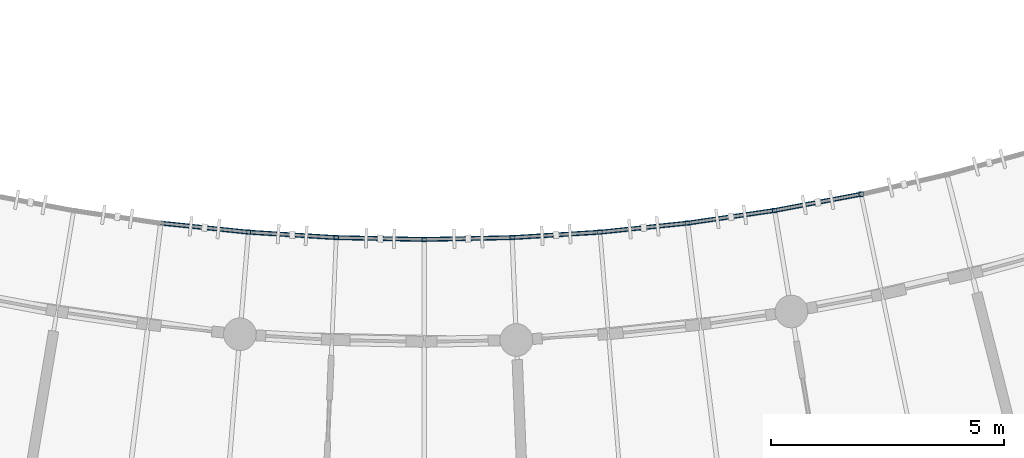
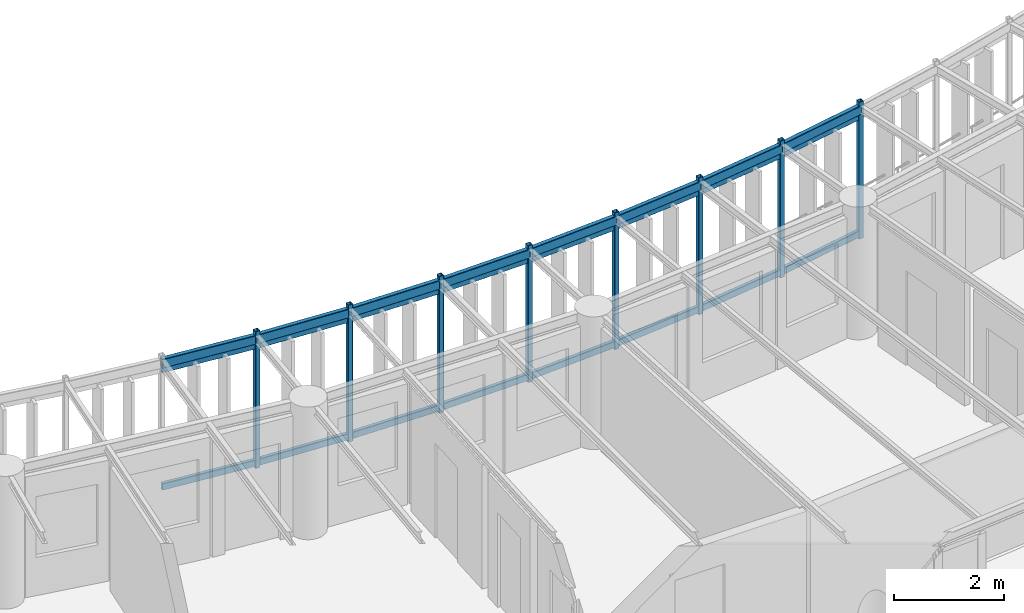
# One storey, part 18 of 123: 24 members, 8 beams.
"""IFC4 building model written with IfcOpenShell, lengths in metres."""

from ifc_helpers import new_model, si_unit, direction, frame, origin, origin_2d, place, context, subcontext, project, spatial, hollow_rectangle, extrude, material, material_profile, profile_set, type_object, element, save


model = new_model("IFC4")

# Units and contexts
model_context = context("Model", 3, precision=1e-05, world=origin(), true_north=direction((0.0, 1.0)))
body_context = subcontext(model_context, "Body", "Model", "MODEL_VIEW")
ifc_project = project(units=[si_unit("LENGTHUNIT", "METRE"), si_unit("AREAUNIT", "SQUARE_METRE"), si_unit("VOLUMEUNIT", "CUBIC_METRE"), si_unit("PLANEANGLEUNIT", "RADIAN"), si_unit("MASSUNIT", "GRAM", prefix="KILO"), si_unit("POWERUNIT", "WATT"), si_unit("THERMODYNAMICTEMPERATUREUNIT", "KELVIN")], contexts=[model_context])

# Site, building, storey
site_placement = place(None, origin())
site = spatial("IfcSite", under=ifc_project, at=site_placement, CompositionType="ELEMENT")
building_placement = place(site_placement, origin())
building = spatial("IfcBuilding", under=site, at=building_placement, Name="Ruvembo Vaulted Housing Court", CompositionType="ELEMENT")
storey_placement = place(building_placement, frame((0.0, 0.0, 7.699951171875)))
storey = spatial("IfcBuildingStorey", under=building, at=storey_placement, Name="L02", CompositionType="ELEMENT", Elevation=7.699951171875)

# Beams
ifc_material = material(Name="Steel S355J2", Category="steel")
ifc_material_profile_1 = material_profile(ifc_material, hollow_rectangle(XDim=0.10009765625, YDim=0.199951171875, WallThickness=0.008056640625, InnerFilletRadius=0.008056640625, OuterFilletRadius=0.01611328125, at=origin_2d()), Name="RHS 200x100x8")
ifc_profile_set_1 = profile_set([ifc_material_profile_1], Name="Steel S355J2")
beam_type = type_object("IfcBeamType", Name="BM-ST-RHS200", PredefinedType="SPANDREL", material=ifc_profile_set_1)
beam_1_placement = place(storey_placement, frame((63.34619140625, 16.55029296875, 2.840087890625), z_axis=(0.994683125416, -0.10298291127, 0.0), x_axis=(0.10298291127, 0.994683125416, 0.0)))
element("IfcBeam", 1, at=beam_1_placement, inside=storey, type_object=beam_type, Name="Scoop SC2 L02 Balcony Edge Spandrel 11", PredefinedType="SPANDREL", context=body_context, shape_type="SweptSolid", body=[
    extrude(hollow_rectangle(XDim=0.10009765625, YDim=0.199951171875, WallThickness=0.008056640625, InnerFilletRadius=0.008056640625, OuterFilletRadius=0.01611328125, at=origin_2d()), origin(), (0.0, 0.0, 1.0), 1.889404296875),
])
beam_2_placement = place(storey_placement, frame((65.2255859375, 16.355712890625, 2.840087890625), z_axis=(0.998090110864, -0.061774837886, 0.0), x_axis=(0.061774837886, 0.998090110864, 0.0)))
element("IfcBeam", 2, at=beam_2_placement, inside=storey, type_object=beam_type, Name="Scoop SC2 L02 Balcony Edge Spandrel 12", PredefinedType="SPANDREL", context=body_context, shape_type="SweptSolid", body=[
    extrude(hollow_rectangle(XDim=0.10009765625, YDim=0.199951171875, WallThickness=0.008056640625, InnerFilletRadius=0.008056640625, OuterFilletRadius=0.01611328125, at=origin_2d()), origin(), (0.0, 0.0, 1.0), 1.88916015625),
])
for number, where, z_axis, x_axis, name in (
    (3, (67.111083984375, 16.239013671875, 2.840087890625), (0.99978624046, -0.020675429556, 0.0), (0.020675429556, 0.99978624046, 0.0), "Scoop SC2 L02 Balcony Edge Spandrel 13"),
    (4, (69.0, 16.199951171875, 2.840087890625), (0.99978624046, 0.020675429556, 0.0), (-0.020675429556, 0.99978624046, 0.0), "Scoop SC2 L02 Balcony Edge Spandrel 14"),
):
    element("IfcBeam", number, at=place(storey_placement, frame(where, z_axis=z_axis, x_axis=x_axis)), inside=storey, type_object=beam_type, Name=name, PredefinedType="SPANDREL", context=body_context, shape_type="SweptSolid", body=[
        extrude(hollow_rectangle(XDim=0.10009765625, YDim=0.199951171875, WallThickness=0.008056640625, InnerFilletRadius=0.008056640625, OuterFilletRadius=0.01611328125, at=origin_2d()), origin(), (0.0, 0.0, 1.0), 1.889404296875),
    ])
beam_3_placement = place(storey_placement, frame((70.888916015625, 16.239013671875, 2.840087890625), z_axis=(0.998090110864, 0.061774837886, 0.0), x_axis=(-0.061774837886, 0.998090110864, 0.0)))
element("IfcBeam", 5, at=beam_3_placement, inside=storey, type_object=beam_type, Name="Scoop SC2 L02 Balcony Edge Spandrel 15", PredefinedType="SPANDREL", context=body_context, shape_type="SweptSolid", body=[
    extrude(hollow_rectangle(XDim=0.10009765625, YDim=0.199951171875, WallThickness=0.008056640625, InnerFilletRadius=0.008056640625, OuterFilletRadius=0.01611328125, at=origin_2d()), origin(), (0.0, 0.0, 1.0), 1.88916015625),
])
beam_4_placement = place(storey_placement, frame((72.7744140625, 16.355712890625, 2.840087890625), z_axis=(0.994683125416, 0.10298291127, 0.0), x_axis=(-0.10298291127, 0.994683125416, 0.0)))
element("IfcBeam", 6, at=beam_4_placement, inside=storey, type_object=beam_type, Name="Scoop SC2 L02 Balcony Edge Spandrel 16", PredefinedType="SPANDREL", context=body_context, shape_type="SweptSolid", body=[
    extrude(hollow_rectangle(XDim=0.10009765625, YDim=0.199951171875, WallThickness=0.008056640625, InnerFilletRadius=0.008056640625, OuterFilletRadius=0.01611328125, at=origin_2d()), origin(), (0.0, 0.0, 1.0), 1.889404296875),
])
beam_5_placement = place(storey_placement, frame((74.65380859375, 16.55029296875, 2.840087890625), z_axis=(0.989600158039, 0.143845497701, 0.0), x_axis=(-0.143845497701, 0.989600158039, 0.0)))
element("IfcBeam", 7, at=beam_5_placement, inside=storey, type_object=beam_type, Name="Scoop SC2 L02 Balcony Edge Spandrel 17", PredefinedType="SPANDREL", context=body_context, shape_type="SweptSolid", body=[
    extrude(hollow_rectangle(XDim=0.10009765625, YDim=0.199951171875, WallThickness=0.008056640625, InnerFilletRadius=0.008056640625, OuterFilletRadius=0.01611328125, at=origin_2d()), origin(), (0.0, 0.0, 1.0), 1.888916015625),
])
beam_6_placement = place(storey_placement, frame((76.523193359375, 16.822021484375, 2.840087890625), z_axis=(0.982804832401, 0.184647397515, 0.0), x_axis=(-0.184647397515, 0.982804832401, 0.0)))
element("IfcBeam", 8, at=beam_6_placement, inside=storey, type_object=beam_type, Name="Scoop SC2 L02 Balcony Edge Spandrel 18", PredefinedType="SPANDREL", context=body_context, shape_type="SweptSolid", body=[
    extrude(hollow_rectangle(XDim=0.10009765625, YDim=0.199951171875, WallThickness=0.008056640625, InnerFilletRadius=0.008056640625, OuterFilletRadius=0.01611328125, at=origin_2d()), origin(), (0.0, 0.0, 1.0), 1.889404296875),
])

# Members
ifc_material_profile_2 = material_profile(ifc_material, hollow_rectangle(XDim=0.06005859375, YDim=0.1201171875, WallThickness=0.0048828125, InnerFilletRadius=0.0048828125, OuterFilletRadius=0.010009765625, at=origin_2d()), Name="RHS 120x60x5")
ifc_profile_set_2 = profile_set([ifc_material_profile_2], Name="Steel S355J2")
member_type_1 = type_object("IfcMemberType", Name="MEM-CAR-RHS120", PredefinedType="CHORD", material=ifc_profile_set_2)
member_1_placement = place(storey_placement, frame((63.34619140625, 16.55029296875, 2.68310546875), z_axis=(0.994683125416, -0.10298291127, 0.0), x_axis=(0.10298291127, 0.994683125416, 0.0)))
element("IfcMember", 9, at=member_1_placement, inside=storey, type_object=member_type_1, Name="Scoop SC2 L02 Upper Louvre Carrier Rail 11", PredefinedType="CHORD", context=body_context, shape_type="SweptSolid", body=[
    extrude(hollow_rectangle(XDim=0.06005859375, YDim=0.1201171875, WallThickness=0.0048828125, InnerFilletRadius=0.0048828125, OuterFilletRadius=0.010009765625, at=origin_2d()), origin(), (0.0, 0.0, 1.0), 1.889404296875),
])
member_2_placement = place(storey_placement, frame((65.2255859375, 16.355712890625, 2.68310546875), z_axis=(0.998090110864, -0.061774837886, 0.0), x_axis=(0.061774837886, 0.998090110864, 0.0)))
element("IfcMember", 10, at=member_2_placement, inside=storey, type_object=member_type_1, Name="Scoop SC2 L02 Upper Louvre Carrier Rail 12", PredefinedType="CHORD", context=body_context, shape_type="SweptSolid", body=[
    extrude(hollow_rectangle(XDim=0.06005859375, YDim=0.1201171875, WallThickness=0.0048828125, InnerFilletRadius=0.0048828125, OuterFilletRadius=0.010009765625, at=origin_2d()), origin(), (0.0, 0.0, 1.0), 1.88916015625),
])
for number, where, z_axis, x_axis, name in (
    (11, (67.111083984375, 16.239013671875, 2.68310546875), (0.99978624046, -0.020675429556, 0.0), (0.020675429556, 0.99978624046, 0.0), "Scoop SC2 L02 Upper Louvre Carrier Rail 13"),
    (12, (69.0, 16.199951171875, 2.68310546875), (0.99978624046, 0.020675429556, 0.0), (-0.020675429556, 0.99978624046, 0.0), "Scoop SC2 L02 Upper Louvre Carrier Rail 14"),
):
    element("IfcMember", number, at=place(storey_placement, frame(where, z_axis=z_axis, x_axis=x_axis)), inside=storey, type_object=member_type_1, Name=name, PredefinedType="CHORD", context=body_context, shape_type="SweptSolid", body=[
        extrude(hollow_rectangle(XDim=0.06005859375, YDim=0.1201171875, WallThickness=0.0048828125, InnerFilletRadius=0.0048828125, OuterFilletRadius=0.010009765625, at=origin_2d()), origin(), (0.0, 0.0, 1.0), 1.889404296875),
    ])
member_3_placement = place(storey_placement, frame((70.888916015625, 16.239013671875, 2.68310546875), z_axis=(0.998090110864, 0.061774837886, 0.0), x_axis=(-0.061774837886, 0.998090110864, 0.0)))
element("IfcMember", 13, at=member_3_placement, inside=storey, type_object=member_type_1, Name="Scoop SC2 L02 Upper Louvre Carrier Rail 15", PredefinedType="CHORD", context=body_context, shape_type="SweptSolid", body=[
    extrude(hollow_rectangle(XDim=0.06005859375, YDim=0.1201171875, WallThickness=0.0048828125, InnerFilletRadius=0.0048828125, OuterFilletRadius=0.010009765625, at=origin_2d()), origin(), (0.0, 0.0, 1.0), 1.88916015625),
])
member_4_placement = place(storey_placement, frame((72.7744140625, 16.355712890625, 2.68310546875), z_axis=(0.994683125416, 0.10298291127, 0.0), x_axis=(-0.10298291127, 0.994683125416, 0.0)))
element("IfcMember", 14, at=member_4_placement, inside=storey, type_object=member_type_1, Name="Scoop SC2 L02 Upper Louvre Carrier Rail 16", PredefinedType="CHORD", context=body_context, shape_type="SweptSolid", body=[
    extrude(hollow_rectangle(XDim=0.06005859375, YDim=0.1201171875, WallThickness=0.0048828125, InnerFilletRadius=0.0048828125, OuterFilletRadius=0.010009765625, at=origin_2d()), origin(), (0.0, 0.0, 1.0), 1.889404296875),
])
member_5_placement = place(storey_placement, frame((74.65380859375, 16.55029296875, 2.68310546875), z_axis=(0.989600158039, 0.143845497701, 0.0), x_axis=(-0.143845497701, 0.989600158039, 0.0)))
element("IfcMember", 15, at=member_5_placement, inside=storey, type_object=member_type_1, Name="Scoop SC2 L02 Upper Louvre Carrier Rail 17", PredefinedType="CHORD", context=body_context, shape_type="SweptSolid", body=[
    extrude(hollow_rectangle(XDim=0.06005859375, YDim=0.1201171875, WallThickness=0.0048828125, InnerFilletRadius=0.0048828125, OuterFilletRadius=0.010009765625, at=origin_2d()), origin(), (0.0, 0.0, 1.0), 1.888916015625),
])
member_6_placement = place(storey_placement, frame((76.523193359375, 16.822021484375, 2.68310546875), z_axis=(0.982804832401, 0.184647397515, 0.0), x_axis=(-0.184647397515, 0.982804832401, 0.0)))
element("IfcMember", 16, at=member_6_placement, inside=storey, type_object=member_type_1, Name="Scoop SC2 L02 Upper Louvre Carrier Rail 18", PredefinedType="CHORD", context=body_context, shape_type="SweptSolid", body=[
    extrude(hollow_rectangle(XDim=0.06005859375, YDim=0.1201171875, WallThickness=0.0048828125, InnerFilletRadius=0.0048828125, OuterFilletRadius=0.010009765625, at=origin_2d()), origin(), (0.0, 0.0, 1.0), 1.889404296875),
])
ifc_material_profile_3 = material_profile(ifc_material, hollow_rectangle(XDim=0.080078125, YDim=0.14990234375, WallThickness=0.00634765625, InnerFilletRadius=0.00634765625, OuterFilletRadius=0.0126953125, at=origin_2d()), Name="RHS 150x80x6.3")
ifc_profile_set_3 = profile_set([ifc_material_profile_3], Name="Steel S355J2")
member_type_2 = type_object("IfcMemberType", Name="MEM-CAR-RHS150", PredefinedType="CHORD", material=ifc_profile_set_3)
member_7_placement = place(storey_placement, frame((63.34619140625, 16.55029296875, 0.094970703125), z_axis=(0.994683125416, -0.10298291127, 0.0), x_axis=(0.10298291127, 0.994683125416, 0.0)))
element("IfcMember", 17, at=member_7_placement, inside=storey, type_object=member_type_2, Name="Scoop SC2 L02 Lower Louvre Carrier Rail 11", PredefinedType="CHORD", context=body_context, shape_type="SweptSolid", body=[
    extrude(hollow_rectangle(XDim=0.080078125, YDim=0.14990234375, WallThickness=0.00634765625, InnerFilletRadius=0.00634765625, OuterFilletRadius=0.0126953125, at=origin_2d()), origin(), (0.0, 0.0, 1.0), 1.889404296875),
])
member_8_placement = place(storey_placement, frame((65.2255859375, 16.355712890625, 0.094970703125), z_axis=(0.998090110864, -0.061774837886, 0.0), x_axis=(0.061774837886, 0.998090110864, 0.0)))
element("IfcMember", 18, at=member_8_placement, inside=storey, type_object=member_type_2, Name="Scoop SC2 L02 Lower Louvre Carrier Rail 12", PredefinedType="CHORD", context=body_context, shape_type="SweptSolid", body=[
    extrude(hollow_rectangle(XDim=0.080078125, YDim=0.14990234375, WallThickness=0.00634765625, InnerFilletRadius=0.00634765625, OuterFilletRadius=0.0126953125, at=origin_2d()), origin(), (0.0, 0.0, 1.0), 1.88916015625),
])
for number, where, z_axis, x_axis, name in (
    (19, (67.111083984375, 16.239013671875, 0.094970703125), (0.99978624046, -0.020675429556, 0.0), (0.020675429556, 0.99978624046, 0.0), "Scoop SC2 L02 Lower Louvre Carrier Rail 13"),
    (20, (69.0, 16.199951171875, 0.094970703125), (0.99978624046, 0.020675429556, 0.0), (-0.020675429556, 0.99978624046, 0.0), "Scoop SC2 L02 Lower Louvre Carrier Rail 14"),
):
    element("IfcMember", number, at=place(storey_placement, frame(where, z_axis=z_axis, x_axis=x_axis)), inside=storey, type_object=member_type_2, Name=name, PredefinedType="CHORD", context=body_context, shape_type="SweptSolid", body=[
        extrude(hollow_rectangle(XDim=0.080078125, YDim=0.14990234375, WallThickness=0.00634765625, InnerFilletRadius=0.00634765625, OuterFilletRadius=0.0126953125, at=origin_2d()), origin(), (0.0, 0.0, 1.0), 1.889404296875),
    ])
member_9_placement = place(storey_placement, frame((70.888916015625, 16.239013671875, 0.094970703125), z_axis=(0.998090110864, 0.061774837886, 0.0), x_axis=(-0.061774837886, 0.998090110864, 0.0)))
element("IfcMember", 21, at=member_9_placement, inside=storey, type_object=member_type_2, Name="Scoop SC2 L02 Lower Louvre Carrier Rail 15", PredefinedType="CHORD", context=body_context, shape_type="SweptSolid", body=[
    extrude(hollow_rectangle(XDim=0.080078125, YDim=0.14990234375, WallThickness=0.00634765625, InnerFilletRadius=0.00634765625, OuterFilletRadius=0.0126953125, at=origin_2d()), origin(), (0.0, 0.0, 1.0), 1.88916015625),
])
member_10_placement = place(storey_placement, frame((72.7744140625, 16.355712890625, 0.094970703125), z_axis=(0.994683125416, 0.10298291127, 0.0), x_axis=(-0.10298291127, 0.994683125416, 0.0)))
element("IfcMember", 22, at=member_10_placement, inside=storey, type_object=member_type_2, Name="Scoop SC2 L02 Lower Louvre Carrier Rail 16", PredefinedType="CHORD", context=body_context, shape_type="SweptSolid", body=[
    extrude(hollow_rectangle(XDim=0.080078125, YDim=0.14990234375, WallThickness=0.00634765625, InnerFilletRadius=0.00634765625, OuterFilletRadius=0.0126953125, at=origin_2d()), origin(), (0.0, 0.0, 1.0), 1.889404296875),
])
member_11_placement = place(storey_placement, frame((74.65380859375, 16.55029296875, 0.094970703125), z_axis=(0.989600158039, 0.143845497701, 0.0), x_axis=(-0.143845497701, 0.989600158039, 0.0)))
element("IfcMember", 23, at=member_11_placement, inside=storey, type_object=member_type_2, Name="Scoop SC2 L02 Lower Louvre Carrier Rail 17", PredefinedType="CHORD", context=body_context, shape_type="SweptSolid", body=[
    extrude(hollow_rectangle(XDim=0.080078125, YDim=0.14990234375, WallThickness=0.00634765625, InnerFilletRadius=0.00634765625, OuterFilletRadius=0.0126953125, at=origin_2d()), origin(), (0.0, 0.0, 1.0), 1.888916015625),
])
member_12_placement = place(storey_placement, frame((76.523193359375, 16.822021484375, 0.094970703125), z_axis=(0.982804832401, 0.184647397515, 0.0), x_axis=(-0.184647397515, 0.982804832401, 0.0)))
element("IfcMember", 24, at=member_12_placement, inside=storey, type_object=member_type_2, Name="Scoop SC2 L02 Lower Louvre Carrier Rail 18", PredefinedType="CHORD", context=body_context, shape_type="SweptSolid", body=[
    extrude(hollow_rectangle(XDim=0.080078125, YDim=0.14990234375, WallThickness=0.00634765625, InnerFilletRadius=0.00634765625, OuterFilletRadius=0.0126953125, at=origin_2d()), origin(), (0.0, 0.0, 1.0), 1.889404296875),
])
ifc_material_profile_4 = material_profile(ifc_material, hollow_rectangle(XDim=0.10009765625, YDim=0.10009765625, WallThickness=0.00634765625, InnerFilletRadius=0.00634765625, OuterFilletRadius=0.0126953125, at=origin_2d()), Name="SHS 100x100x6.3")
ifc_profile_set_4 = profile_set([ifc_material_profile_4], Name="Steel S355J2")
member_type_3 = type_object("IfcMemberType", Name="MEM-FRM-SHS100", PredefinedType="STRUT", material=ifc_profile_set_4)
for number, where, z_axis, x_axis, name in (
    (25, (65.2255859375, 16.355712890625, -0.014892578125), (0.0, 0.0, 1.0), (1.0, 0.0, 0.0), "Scoop SC2 L02 Louvre Frame Post 12"),
    (26, (67.111083984375, 16.239013671875, -0.014892578125), (0.0, 0.0, 1.0), (1.0, 0.0, 0.0), "Scoop SC2 L02 Louvre Frame Post 13"),
    (27, (69.0, 16.199951171875, -0.014892578125), (0.0, 0.0, 1.0), (1.0, 0.0, 0.0), "Scoop SC2 L02 Louvre Frame Post 14"),
    (28, (70.888916015625, 16.239013671875, -0.014892578125), (0.0, 0.0, 1.0), (1.0, 0.0, 0.0), "Scoop SC2 L02 Louvre Frame Post 15"),
    (29, (72.7744140625, 16.355712890625, -0.014892578125), (0.0, 0.0, 1.0), (1.0, 0.0, 0.0), "Scoop SC2 L02 Louvre Frame Post 16"),
    (30, (74.65380859375, 16.55029296875, -0.014892578125), (0.0, 0.0, 1.0), (1.0, 0.0, 0.0), "Scoop SC2 L02 Louvre Frame Post 17"),
    (31, (76.523193359375, 16.822021484375, -0.014892578125), (0.0, 0.0, 1.0), (1.0, 0.0, 0.0), "Scoop SC2 L02 Louvre Frame Post 18"),
    (32, (78.380126953125, 17.1708984375, -0.014892578125), (0.0, 0.0, 1.0), (1.0, 0.0, 0.0), "Scoop SC2 L02 Louvre Frame Post 19"),
):
    element("IfcMember", number, at=place(storey_placement, frame(where, z_axis=z_axis, x_axis=x_axis)), inside=storey, type_object=member_type_3, Name=name, PredefinedType="STRUT", context=body_context, shape_type="SweptSolid", body=[
        extrude(hollow_rectangle(XDim=0.10009765625, YDim=0.10009765625, WallThickness=0.00634765625, InnerFilletRadius=0.00634765625, OuterFilletRadius=0.0126953125, at=origin_2d()), origin(), (0.0, 0.0, 1.0), 3.041015625),
    ])

save(model, "model.ifc")
